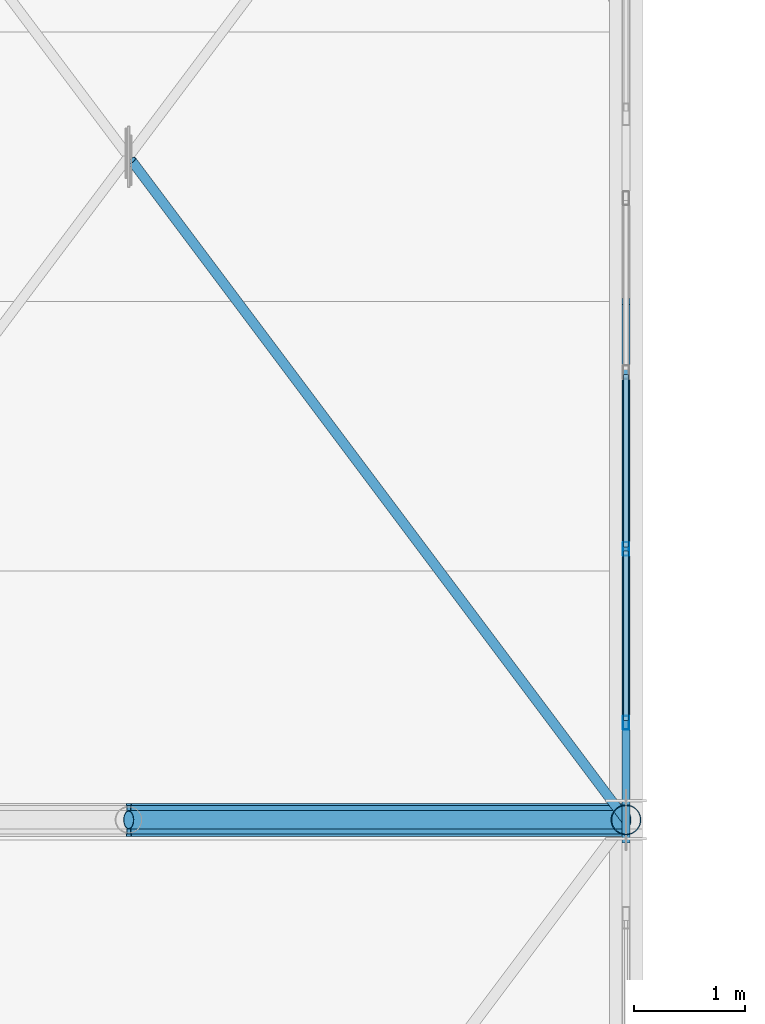
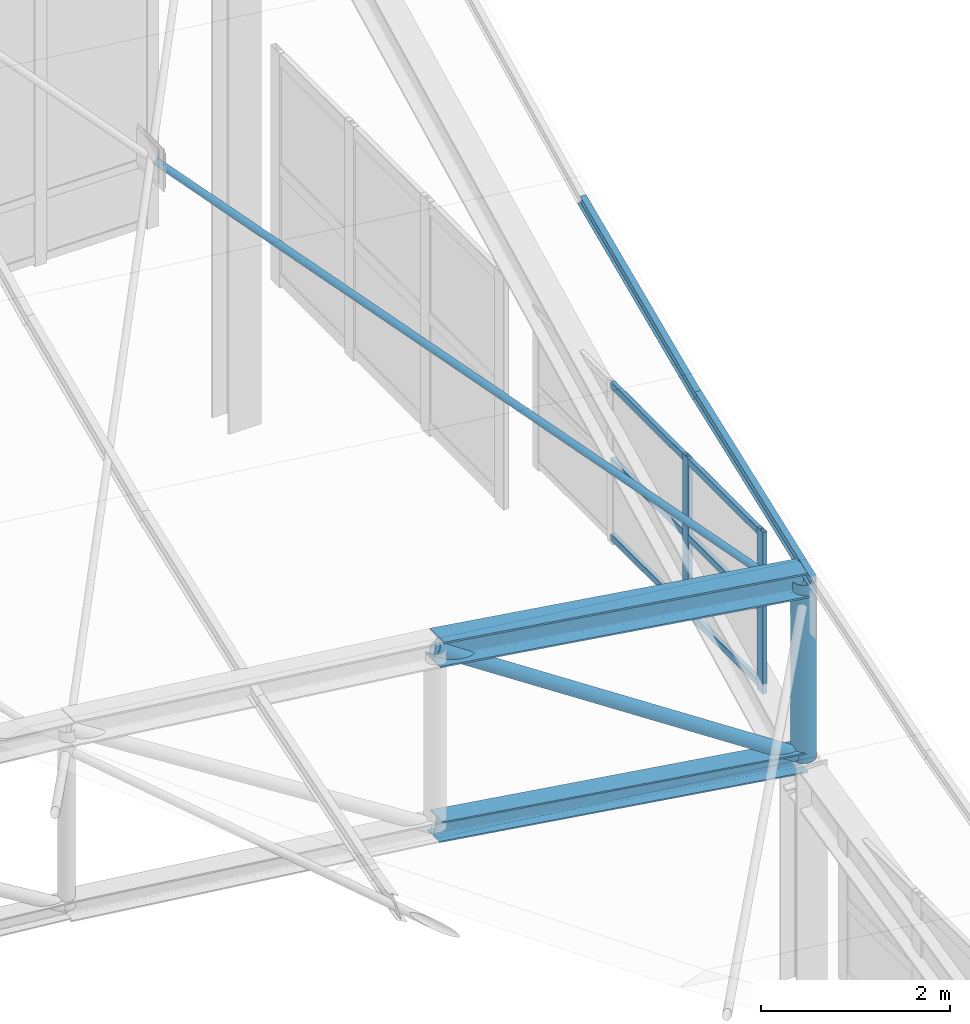
# One storey, part 131 of 262: 15 members, 1 element without a shape of its own.
"""IFC4 building model written with IfcOpenShell, lengths in metres."""

import ifcopenshell
import ifcopenshell.guid

model = None  # the IFC model being written
_history = None  # IfcOwnerHistory: only IFC2X3 demands one
_inside = {}  # id of a spatial element -> (the spatial element, [elements in it])
_under = {}  # id of a project, library or spatial element -> (it, [spatial elements below it])
_declared = {}  # id of a project -> (the project, [libraries it declares])
_typed = {}  # id of a type object -> (the type object, [elements of that type])
_made_of = {}  # id of a material, layer set ... -> (it, [elements and type objects made of it])


def new_model(schema):
    """Start an empty IFC model of exactly this schema.

    Asked for "IFC4X3", IfcOpenShell would pick the latest addendum, in which some entities
    have other attributes; the version numbers below select the first issue.
    IFC2X3 requires an IfcOwnerHistory on every rooted entity: one is made here for all.
    """
    global model, _history
    if schema == "IFC4X3":
        model = ifcopenshell.file(schema_version=(4, 3, 0, 0))
    else:
        model = ifcopenshell.file(schema=schema)
    _inside.clear()
    _under.clear()
    _declared.clear()
    _typed.clear()
    _made_of.clear()
    _history = None
    if model.schema == "IFC2X3":
        org = make("IfcOrganization", Name="unknown")
        user = make(
            "IfcPersonAndOrganization",
            ThePerson=make("IfcPerson", FamilyName="unknown"),
            TheOrganization=org,
        )
        app = make(
            "IfcApplication",
            ApplicationDeveloper=org,
            Version="unknown",
            ApplicationFullName="unknown",
            ApplicationIdentifier="unknown",
        )
        _history = make(
            "IfcOwnerHistory",
            OwningUser=user,
            OwningApplication=app,
            ChangeAction="ADDED",
            CreationDate=0,
        )
    return model


def make(cls, **values):
    """One entity of the class cls with the attributes given. An attribute that is None is left unset."""
    return model.create_entity(
        cls, **{name: value for name, value in values.items() if value is not None}
    )


def rooted(cls, **values):
    """An entity with a GlobalId (a new one), such as an element, a storey or a relation."""
    return make(cls, GlobalId=ifcopenshell.guid.new(), OwnerHistory=_history, **values)


def si_unit(unit_type, name, prefix=None):
    """IfcSIUnit, for example si_unit("LENGTHUNIT", "METRE", prefix="MILLI")."""
    return make("IfcSIUnit", UnitType=unit_type, Prefix=prefix, Name=name)


def derived_unit(unit_type, elements):
    """IfcDerivedUnit: a product of units, each with its exponent."""
    return make(
        "IfcDerivedUnit",
        Elements=[
            make("IfcDerivedUnitElement", Unit=unit, Exponent=power)
            for unit, power in elements
        ],
        UnitType=unit_type,
    )


def assignment(units):
    """IfcUnitAssignment: the units of a project."""
    return None if units is None else make("IfcUnitAssignment", Units=units)


def point(xyz):
    """IfcCartesianPoint."""
    return None if xyz is None else make("IfcCartesianPoint", Coordinates=xyz)


def direction(xyz):
    """IfcDirection."""
    return None if xyz is None else make("IfcDirection", DirectionRatios=xyz)


def frame(location, z_axis=None, x_axis=None):
    """IfcAxis2Placement3D, a coordinate frame: its origin and axes. An axis left out is left unset."""
    return make(
        "IfcAxis2Placement3D",
        Location=point(location),
        Axis=direction(z_axis),
        RefDirection=direction(x_axis),
    )


def frame_2d(location, x_axis=None):
    """IfcAxis2Placement2D, a coordinate frame in the plane: its origin and x axis."""
    return make(
        "IfcAxis2Placement2D", Location=point(location), RefDirection=direction(x_axis)
    )


def origin():
    """The frame at (0, 0, 0) with its axes left unset."""
    return frame((0.0, 0.0, 0.0))


def origin_2d():
    """The frame at (0, 0) in the plane with its x axis left unset."""
    return frame_2d((0.0, 0.0))


def place(relative_to, where):
    """IfcLocalPlacement: puts the frame where relative to a parent placement (None: the world)."""
    return make(
        "IfcLocalPlacement", PlacementRelTo=relative_to, RelativePlacement=where
    )


def context(
    kind, dimensions, precision=None, world=None, true_north=None, identifier=None
):
    """IfcGeometricRepresentationContext, for example the 3D "Model" context."""
    return make(
        "IfcGeometricRepresentationContext",
        ContextIdentifier=identifier,
        ContextType=kind,
        CoordinateSpaceDimension=dimensions,
        Precision=precision,
        WorldCoordinateSystem=world,
        TrueNorth=true_north,
    )


def subcontext(parent, identifier, kind, view, scale=None):
    """IfcGeometricRepresentationSubContext, for example "Body" below "Model"."""
    return make(
        "IfcGeometricRepresentationSubContext",
        ContextIdentifier=identifier,
        ContextType=kind,
        ParentContext=parent,
        TargetScale=scale,
        TargetView=view,
    )


def project(units=None, contexts=None):
    """IfcProject with its units and contexts."""
    return rooted(
        "IfcProject",
        Name="project",
        RepresentationContexts=contexts,
        UnitsInContext=assignment(units),
    )


def spatial(cls, under=None, at=None, **own):
    """A site, building, storey or space (cls), placed at a placement, below another one or the project."""
    s = rooted(cls, ObjectPlacement=at, **own)
    if under is not None:
        _under.setdefault(under.id(), (under, []))[1].append(s)
    return s


def profile(cls, at=None, kind="AREA", **sizes):
    """A parametric profile (cls). Its sizes go by their IFC names, for example OverallWidth=200.0."""
    return make(cls, ProfileType=kind, Position=at, **sizes)


def hollow_rectangle(**sizes):
    """IfcRectangleHollowProfileDef."""
    return profile("IfcRectangleHollowProfileDef", **sizes)


def hollow_circle(**sizes):
    """IfcCircleHollowProfileDef."""
    return profile("IfcCircleHollowProfileDef", **sizes)


def i_section(**sizes):
    """IfcIShapeProfileDef."""
    return profile("IfcIShapeProfileDef", **sizes)


def extrude(swept, where, along, depth):
    """IfcExtrudedAreaSolid: the profile swept, set in the frame where, extruded along a direction by depth."""
    return make(
        "IfcExtrudedAreaSolid",
        SweptArea=swept,
        Position=where,
        ExtrudedDirection=direction(along),
        Depth=depth,
    )


def shape(context_of_items, identifier, shape_type, items):
    """IfcShapeRepresentation: the items that make up one representation, for example the "Body"."""
    return make(
        "IfcShapeRepresentation",
        ContextOfItems=context_of_items,
        RepresentationIdentifier=identifier,
        RepresentationType=shape_type,
        Items=items,
    )


def material(Name=None, Category=None):
    """IfcMaterial."""
    return make("IfcMaterial", Name=Name, Category=Category)


def layer(
    of_material, thickness, ventilated=None, Name=None, Category=None, Priority=None
):
    """IfcMaterialLayer: one layer of a wall or slab, of a material (None: an air gap)."""
    return make(
        "IfcMaterialLayer",
        Material=of_material,
        LayerThickness=thickness,
        IsVentilated=ventilated,
        Name=Name,
        Category=Category,
        Priority=Priority,
    )


def layer_set(layers, Name=None):
    """IfcMaterialLayerSet."""
    return make("IfcMaterialLayerSet", MaterialLayers=layers, LayerSetName=Name)


def material_profile(
    of_material, cross_section, Name=None, Category=None, Priority=None
):
    """IfcMaterialProfile: a cross section and its material."""
    return make(
        "IfcMaterialProfile",
        Name=Name,
        Material=of_material,
        Profile=cross_section,
        Priority=Priority,
        Category=Category,
    )


def profile_set(profiles, Name=None, composite=None):
    """IfcMaterialProfileSet."""
    return make(
        "IfcMaterialProfileSet",
        Name=Name,
        MaterialProfiles=profiles,
        CompositeProfile=composite,
    )


def made_of(thing, what):
    """Note that an element or type object is made of a material, layer set ...; save() writes the relation."""
    if what is not None:
        _made_of.setdefault(what.id(), (what, []))[1].append(thing)
    return thing


def type_object(cls, material=None, **own):
    """A type object (cls), such as IfcWallType, which elements share."""
    return made_of(rooted(cls, **own), material)


def element(
    cls,
    number,
    at=None,
    inside=None,
    cuts=None,
    type_object=None,
    material=None,
    context=None,
    identifier="Body",
    shape_type=None,
    held_by="IfcProductDefinitionShape",
    body=None,
    shapes=None,
    **own,
):
    """One element of the class cls, such as IfcWall. Its Tag is "e" and its number.

    at: its placement. inside: the storey or other place that contains it. cuts: it is an
    opening in that element (IfcRelVoidsElement). A single representation is given by context,
    identifier, shape_type and body (its items); several are given by shapes. held_by: the class
    of the entity that holds the representations. save() writes the other relations.
    """
    e = rooted(cls, Tag="e%d" % number, ObjectPlacement=at, **own)
    if body is not None:
        shapes = [shape(context, identifier, shape_type, body)]
    if shapes is not None:
        e.Representation = make(held_by, Representations=shapes)
    if inside is not None:
        _inside.setdefault(inside.id(), (inside, []))[1].append(e)
    if cuts is not None:
        rooted(
            "IfcRelVoidsElement", RelatingBuildingElement=cuts, RelatedOpeningElement=e
        )
    if type_object is not None:
        _typed.setdefault(type_object.id(), (type_object, []))[1].append(e)
    return made_of(e, material)


def aggregate(whole, parts):
    """IfcRelAggregates: a whole, such as a stair, and the parts it consists of."""
    return rooted("IfcRelAggregates", RelatingObject=whole, RelatedObjects=parts)


def save(model, path):
    """Write the relations noted so far, then the file.

    IfcRelAggregates (storeys below a building ...), IfcRelContainedInSpatialStructure (elements
    in a storey), IfcRelDefinesByType, IfcRelAssociatesMaterial and IfcRelDeclares: one each for
    every whole, place, type object, material and project.
    """
    for whole, parts in _under.values():
        aggregate(whole, parts)
    for where, things in _inside.values():
        rooted(
            "IfcRelContainedInSpatialStructure",
            RelatedElements=things,
            RelatingStructure=where,
        )
    for kind, things in _typed.values():
        rooted("IfcRelDefinesByType", RelatedObjects=things, RelatingType=kind)
    for what, things in _made_of.values():
        rooted("IfcRelAssociatesMaterial", RelatedObjects=things, RelatingMaterial=what)
    for by, libraries in _declared.values():
        rooted("IfcRelDeclares", RelatingContext=by, RelatedDefinitions=libraries)
    model.write(path)


model = new_model("IFC4")

# Units and contexts
model_context = context("Model", 3, precision=1e-05, world=origin(), true_north=direction((0.0, 1.0)))
body_context = subcontext(model_context, "Body", "Model", "MODEL_VIEW")
ifc_project = project(units=[si_unit("LENGTHUNIT", "METRE"), si_unit("AREAUNIT", "SQUARE_METRE"), si_unit("VOLUMEUNIT", "CUBIC_METRE"), si_unit("PLANEANGLEUNIT", "RADIAN"), si_unit("MASSUNIT", "GRAM", prefix="KILO"), derived_unit("THERMALTRANSMITTANCEUNIT", [(si_unit("POWERUNIT", "WATT"), 1), (si_unit("LENGTHUNIT", "METRE"), -2), (si_unit("THERMODYNAMICTEMPERATUREUNIT", "KELVIN"), -1)])], contexts=[model_context])

# Site, building, storey
site_placement = place(None, origin())
site = spatial("IfcSite", under=ifc_project, at=site_placement, CompositionType="ELEMENT")
building_placement = place(site_placement, origin())
building = spatial("IfcBuilding", under=site, at=building_placement, Name="Almenara Railside Exhibition Hall", CompositionType="ELEMENT")
storey_placement = place(building_placement, frame((0.0, 0.0, 21.699951171875)))
storey = spatial("IfcBuildingStorey", under=building, at=storey_placement, Name="RF", CompositionType="ELEMENT", Elevation=21.699951171875)

# Members
ifc_material_1 = material(Name="Structural steel S355JR", Category="steel")
ifc_material_profile_1 = material_profile(ifc_material_1, i_section(OverallWidth=0.260009765625, OverallDepth=0.260009765625, WebThickness=0.010009765625, FlangeThickness=0.017578125, FilletRadius=0.02392578125, at=origin_2d()), Name="HEB 260")
ifc_profile_set_1 = profile_set([ifc_material_profile_1], Name="Structural steel S355JR")
member_type_1 = type_object("IfcMemberType", Name="Arched Truss Bottom Chord HEB 260 S355JR", PredefinedType="CHORD", material=ifc_profile_set_1)
member_1_placement = place(storey_placement, frame((61.5, 120.0, 1.21337890625), z_axis=(0.9890290442, 0.0, -0.147721189165), x_axis=(0.0, 1.0, 0.0)))
element("IfcMember", 1, at=member_1_placement, inside=storey, type_object=member_type_1, Name="MEM-BC-V1-06-11", PredefinedType="CHORD", context=body_context, shape_type="SweptSolid", body=[
    extrude(i_section(OverallWidth=0.260009765625, OverallDepth=0.260009765625, WebThickness=0.010009765625, FlangeThickness=0.017578125, FilletRadius=0.02392578125, at=origin_2d()), origin(), (0.0, 0.0, 1.0), 4.5498046875),
])
ifc_material_profile_2 = material_profile(ifc_material_1, i_section(OverallWidth=0.300048828125, OverallDepth=0.320068359375, WebThickness=0.011474609375, FlangeThickness=0.0205078125, FilletRadius=0.027099609375, at=origin_2d()), Name="HEB 320")
ifc_profile_set_2 = profile_set([ifc_material_profile_2], Name="Structural steel S355JR")
member_type_2 = type_object("IfcMemberType", Name="Arched Truss Top Chord HEB 320 S355JR", PredefinedType="CHORD", material=ifc_profile_set_2)
member_2_placement = place(storey_placement, frame((61.5, 120.0, 3.513427734375), z_axis=(0.9890290442, 0.0, -0.147721189165), x_axis=(0.0, 1.0, 0.0)))
element("IfcMember", 2, at=member_2_placement, inside=storey, type_object=member_type_2, Name="MEM-TC-V1-06-11", PredefinedType="CHORD", context=body_context, shape_type="SweptSolid", body=[
    extrude(i_section(OverallWidth=0.300048828125, OverallDepth=0.320068359375, WebThickness=0.011474609375, FlangeThickness=0.0205078125, FilletRadius=0.027099609375, at=origin_2d()), origin(), (0.0, 0.0, 1.0), 4.5498046875),
])
ifc_material_profile_3 = material_profile(ifc_material_1, i_section(OverallWidth=0.072998046875, OverallDepth=0.139892578125, WebThickness=0.004638671875, FlangeThickness=0.0068359375, FilletRadius=0.007080078125, at=origin_2d()), Name="IPE 140")
ifc_profile_set_3 = profile_set([ifc_material_profile_3], Name="Structural steel S355JR")
member_type_3 = type_object("IfcMemberType", Name="Canopy Edge Purlin IPE 140 S355JR", PredefinedType="PURLIN", material=ifc_profile_set_3)
member_3_placement = place(storey_placement, frame((66.0, 119.81640625, 2.924072265625), z_axis=(0.0, 0.936171044044, 0.351544842508), x_axis=(-1.0, 0.0, 0.0)))
element("IfcMember", 3, at=member_3_placement, inside=storey, type_object=member_type_3, Name="MEM-PR-V1-PR-IPE140-08-23", PredefinedType="PURLIN", context=body_context, shape_type="SweptSolid", body=[
    extrude(i_section(OverallWidth=0.072998046875, OverallDepth=0.139892578125, WebThickness=0.004638671875, FlangeThickness=0.0068359375, FilletRadius=0.007080078125, at=origin_2d()), origin(), (0.0, 0.0, 1.0), 2.60302734375),
])
member_4_placement = place(storey_placement, frame((66.0, 122.253173828125, 3.833251953125), z_axis=(0.0, 0.917189812532, 0.398450558775), x_axis=(-1.0, 0.0, 0.0)))
element("IfcMember", 4, at=member_4_placement, inside=storey, type_object=member_type_3, Name="MEM-PR-V1-PR-IPE140-08-24", PredefinedType="PURLIN", context=body_context, shape_type="SweptSolid", body=[
    extrude(i_section(OverallWidth=0.072998046875, OverallDepth=0.139892578125, WebThickness=0.004638671875, FlangeThickness=0.0068359375, FilletRadius=0.007080078125, at=origin_2d()), origin(), (0.0, 0.0, 1.0), 2.65673828125),
])
ifc_material_profile_4 = material_profile(ifc_material_1, hollow_circle(Radius=0.04443359375, WallThickness=0.00390625, at=origin_2d()), Name="CHS 88.9x4")
ifc_profile_set_4 = profile_set([ifc_material_profile_4], Name="Structural steel S355JR")
member_type_4 = type_object("IfcMemberType", Name="Canopy Tie Brace CHS 88.9x4 S355JR", PredefinedType="BRACE", material=ifc_profile_set_4)
member_5_placement = place(storey_placement, frame((66.0, 120.0, 2.561279296875), z_axis=(-0.539774840457, 0.719689968725, 0.436680055104), x_axis=(-0.79999607089, -0.600005238778, 0.0)))
element("IfcMember", 5, at=member_5_placement, inside=storey, type_object=member_type_4, Name="MEM-WB-V1-WB-CHS89-06-10-S1", PredefinedType="BRACE", context=body_context, shape_type="SweptSolid", body=[
    extrude(hollow_circle(Radius=0.04443359375, WallThickness=0.00390625, at=origin_2d()), origin(), (0.0, 0.0, 1.0), 8.288330078125),
])

# Curtain wall, members
ifc_material_2 = material(Name="Bronze-anodised aluminium and low-E double glazing", Category="aluminium")
ifc_layer = layer(ifc_material_2, 0.179931640625, Name="Bronze-anodised aluminium and low-E double glazing")
ifc_layer_set = layer_set([ifc_layer], Name="Bronze-anodised aluminium and low-E double glazing")
curtain_wall_type = type_object("IfcCurtainWallType", Name="West Hall Clerestory Curtain Wall 4200x2400", PredefinedType="NOTDEFINED", material=ifc_layer_set)
curtain_wall_placement = place(storey_placement, origin())
curtain_wall = element("IfcCurtainWall", 6, at=curtain_wall_placement, inside=storey, type_object=curtain_wall_type, Name="Curtain wall CW-CL1-194", PredefinedType="NOTDEFINED")
ifc_material_3 = material(Name="Bronze-anodised aluminium", Category="aluminium")
ifc_material_profile_5 = material_profile(ifc_material_3, hollow_rectangle(XDim=0.054931640625, YDim=0.125, WallThickness=0.0029296875, InnerFilletRadius=0.0029296875, OuterFilletRadius=0.006103515625, at=origin_2d()), Name="ALU-MUL 55x125x3")
ifc_profile_set_5 = profile_set([ifc_material_profile_5], Name="Bronze-anodised aluminium")
member_type_5 = type_object("IfcMemberType", Name="Curtain Wall Mullion 55x125x3", PredefinedType="MULLION", material=ifc_profile_set_5)
member_6_placement = place(storey_placement, frame((66.0, 120.87744140625, 0.85498046875), z_axis=(0.0, 0.0, 1.0), x_axis=(-1.0, 0.0, 0.0)))
member_6 = element("IfcMember", 7, at=member_6_placement, type_object=member_type_5, Name="CW-CL1-194 mullion 1", PredefinedType="MULLION", context=body_context, shape_type="SweptSolid", body=[
    extrude(hollow_rectangle(XDim=0.054931640625, YDim=0.125, WallThickness=0.0029296875, InnerFilletRadius=0.0029296875, OuterFilletRadius=0.006103515625, at=origin_2d()), origin(), (0.0, 0.0, 1.0), 2.0849609375),
])
member_7_placement = place(storey_placement, frame((66.0, 122.449951171875, 0.85498046875), z_axis=(0.0, 0.0, 1.0), x_axis=(-1.0, 0.0, 0.0)))
member_7 = element("IfcMember", 8, at=member_7_placement, type_object=member_type_5, Name="CW-CL1-194 mullion 2", PredefinedType="MULLION", context=body_context, shape_type="SweptSolid", body=[
    extrude(hollow_rectangle(XDim=0.054931640625, YDim=0.125, WallThickness=0.0029296875, InnerFilletRadius=0.0029296875, OuterFilletRadius=0.006103515625, at=origin_2d()), origin(), (0.0, 0.0, 1.0), 2.0849609375),
])
ifc_material_profile_6 = material_profile(ifc_material_3, hollow_rectangle(XDim=0.054931640625, YDim=0.090087890625, WallThickness=0.0029296875, InnerFilletRadius=0.0029296875, OuterFilletRadius=0.006103515625, at=origin_2d()), Name="ALU-TRN 55x90x3")
ifc_profile_set_6 = profile_set([ifc_material_profile_6], Name="Bronze-anodised aluminium")
member_type_6 = type_object("IfcMemberType", Name="Curtain Wall Transom 55x90x3", PredefinedType="USERDEFINED", material=ifc_profile_set_6)
member_8_placement = place(storey_placement, frame((66.0, 120.89697265625, 0.93505859375), z_axis=(0.0, 1.0, 0.0), x_axis=(-1.0, 0.0, 0.0)))
member_8 = element("IfcMember", 9, at=member_8_placement, type_object=member_type_6, Name="CW-CL1-194 transom 1.1", ObjectType="TRANSOM", PredefinedType="USERDEFINED", context=body_context, shape_type="SweptSolid", body=[
    extrude(hollow_rectangle(XDim=0.054931640625, YDim=0.090087890625, WallThickness=0.0029296875, InnerFilletRadius=0.0029296875, OuterFilletRadius=0.006103515625, at=origin_2d()), origin(), (0.0, 0.0, 1.0), 1.533447265625),
])
member_9_placement = place(storey_placement, frame((66.0, 120.89697265625, 1.9150390625), z_axis=(0.0, 1.0, 0.0), x_axis=(-1.0, 0.0, 0.0)))
member_9 = element("IfcMember", 10, at=member_9_placement, type_object=member_type_6, Name="CW-CL1-194 transom 1.2", ObjectType="TRANSOM", PredefinedType="USERDEFINED", context=body_context, shape_type="SweptSolid", body=[
    extrude(hollow_rectangle(XDim=0.054931640625, YDim=0.090087890625, WallThickness=0.0029296875, InnerFilletRadius=0.0029296875, OuterFilletRadius=0.006103515625, at=origin_2d()), origin(), (0.0, 0.0, 1.0), 1.533447265625),
])
member_10_placement = place(storey_placement, frame((66.0, 120.89697265625, 2.89501953125), z_axis=(0.0, 1.0, 0.0), x_axis=(-1.0, 0.0, 0.0)))
member_10 = element("IfcMember", 11, at=member_10_placement, type_object=member_type_6, Name="CW-CL1-194 transom 1.3", ObjectType="TRANSOM", PredefinedType="USERDEFINED", context=body_context, shape_type="SweptSolid", body=[
    extrude(hollow_rectangle(XDim=0.054931640625, YDim=0.090087890625, WallThickness=0.0029296875, InnerFilletRadius=0.0029296875, OuterFilletRadius=0.006103515625, at=origin_2d()), origin(), (0.0, 0.0, 1.0), 1.533447265625),
])
member_11_placement = place(storey_placement, frame((66.0, 122.469482421875, 0.93505859375), z_axis=(0.0, 1.0, 0.0), x_axis=(-1.0, 0.0, 0.0)))
member_11 = element("IfcMember", 12, at=member_11_placement, type_object=member_type_6, Name="CW-CL1-194 transom 2.1", ObjectType="TRANSOM", PredefinedType="USERDEFINED", context=body_context, shape_type="SweptSolid", body=[
    extrude(hollow_rectangle(XDim=0.054931640625, YDim=0.090087890625, WallThickness=0.0029296875, InnerFilletRadius=0.0029296875, OuterFilletRadius=0.006103515625, at=origin_2d()), origin(), (0.0, 0.0, 1.0), 1.56103515625),
])
member_12_placement = place(storey_placement, frame((66.0, 122.469482421875, 1.9150390625), z_axis=(0.0, 1.0, 0.0), x_axis=(-1.0, 0.0, 0.0)))
member_12 = element("IfcMember", 13, at=member_12_placement, type_object=member_type_6, Name="CW-CL1-194 transom 2.2", ObjectType="TRANSOM", PredefinedType="USERDEFINED", context=body_context, shape_type="SweptSolid", body=[
    extrude(hollow_rectangle(XDim=0.054931640625, YDim=0.090087890625, WallThickness=0.0029296875, InnerFilletRadius=0.0029296875, OuterFilletRadius=0.006103515625, at=origin_2d()), origin(), (0.0, 0.0, 1.0), 1.56103515625),
])
member_13_placement = place(storey_placement, frame((66.0, 122.469482421875, 2.89501953125), z_axis=(0.0, 1.0, 0.0), x_axis=(-1.0, 0.0, 0.0)))
member_13 = element("IfcMember", 14, at=member_13_placement, type_object=member_type_6, Name="CW-CL1-194 transom 2.3", ObjectType="TRANSOM", PredefinedType="USERDEFINED", context=body_context, shape_type="SweptSolid", body=[
    extrude(hollow_rectangle(XDim=0.054931640625, YDim=0.090087890625, WallThickness=0.0029296875, InnerFilletRadius=0.0029296875, OuterFilletRadius=0.006103515625, at=origin_2d()), origin(), (0.0, 0.0, 1.0), 1.56103515625),
])
aggregate(curtain_wall, [member_6, member_7, member_8, member_9, member_10, member_11, member_12, member_13])

# Members
ifc_material_profile_7 = material_profile(ifc_material_1, hollow_circle(Radius=0.084228515625, WallThickness=0.006103515625, at=origin_2d()), Name="CHS 168.3x6")
ifc_profile_set_7 = profile_set([ifc_material_profile_7], Name="Structural steel S355JR")
member_type_7 = type_object("IfcMemberType", Name="Truss End Diagonal CHS 168.3x6 S355JR", PredefinedType="BRACE", material=ifc_profile_set_7)
member_14_placement = place(storey_placement, frame((61.5, 120.0, 3.513427734375), z_axis=(0.834424544227, 0.0, -0.551122200598), x_axis=(0.0, 1.0, 0.0)))
element("IfcMember", 15, at=member_14_placement, inside=storey, type_object=member_type_7, Name="MEM-TD-V1-06-11", PredefinedType="BRACE", context=body_context, shape_type="SweptSolid", body=[
    extrude(hollow_circle(Radius=0.084228515625, WallThickness=0.006103515625, at=origin_2d()), origin(), (0.0, 0.0, 1.0), 5.392822265625),
])
ifc_material_profile_8 = material_profile(ifc_material_1, hollow_circle(Radius=0.136474609375, WallThickness=0.008056640625, at=origin_2d()), Name="CHS 273x8")
ifc_profile_set_8 = profile_set([ifc_material_profile_8], Name="Structural steel S355JR")
member_type_8 = type_object("IfcMemberType", Name="Truss Support Vertical Strut CHS 273x8 S355JR", PredefinedType="BRACE", material=ifc_profile_set_8)
member_15_placement = place(storey_placement, frame((66.0, 120.0, 0.541259765625), z_axis=(0.0, 0.0, 1.0), x_axis=(1.0, 0.0, 0.0)))
element("IfcMember", 16, at=member_15_placement, inside=storey, type_object=member_type_8, Name="MEM-TV-V1-06-12", PredefinedType="BRACE", context=body_context, shape_type="SweptSolid", body=[
    extrude(hollow_circle(Radius=0.136474609375, WallThickness=0.008056640625, at=origin_2d()), origin(), (0.0, 0.0, 1.0), 2.300048828125),
])

save(model, "model.ifc")
